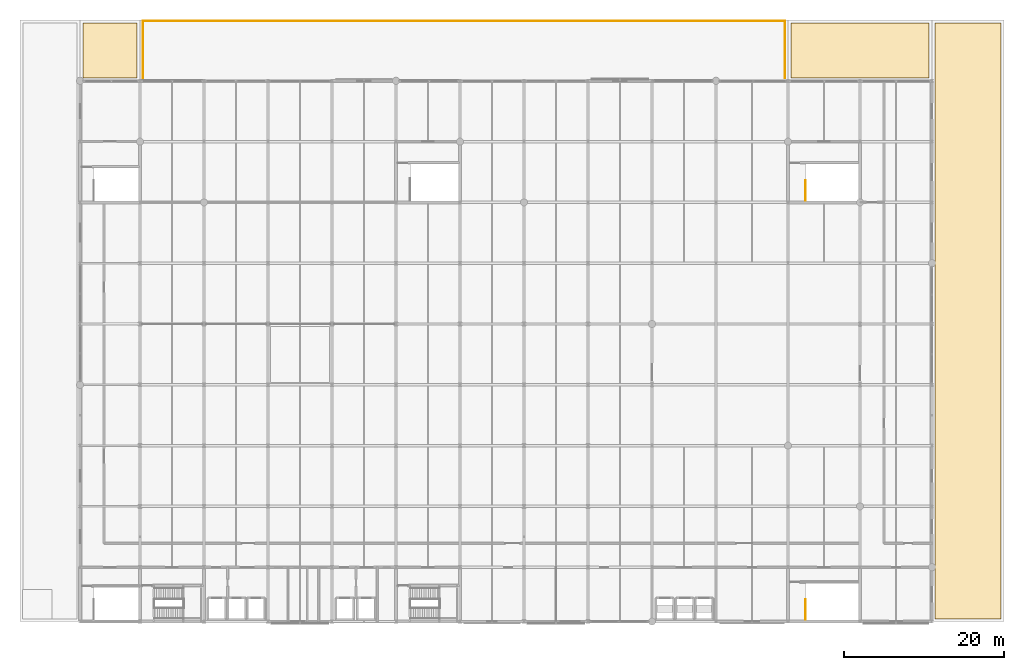
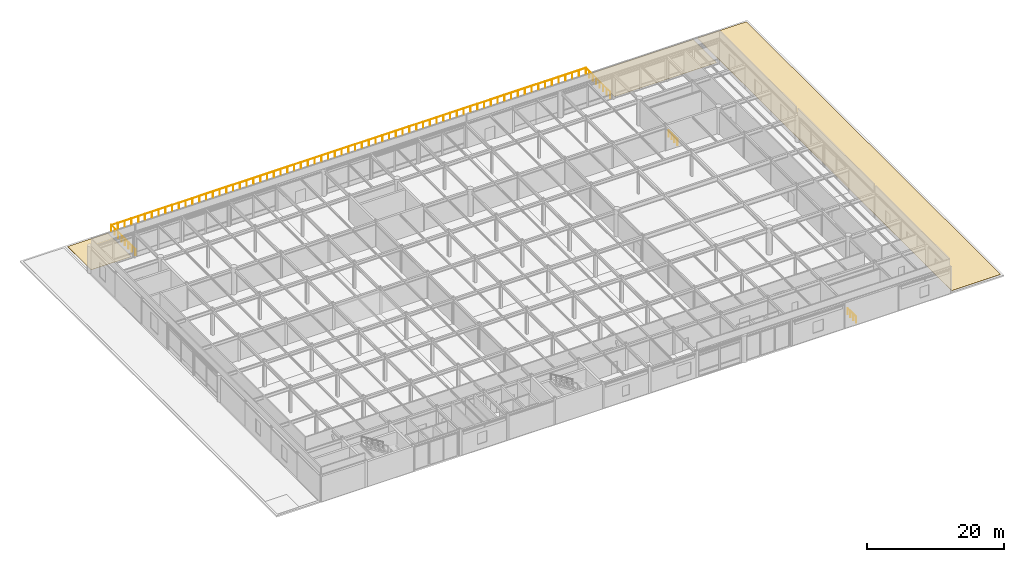
# One storey, part 43 of 43: 3 coverings, 3 railings.
"""IFC4 building model written with IfcOpenShell, lengths in metres."""

from ifc_helpers import new_model, si_unit, direction, frame, origin, origin_2d, place, context, subcontext, project, spatial, polyline, circle, outline, extrude, material, layer, layer_set, type_object, element, save


model = new_model("IFC4")

# Units and contexts
model_context = context("Model", 3, precision=1e-05, world=origin(), true_north=direction((0.0, 1.0)))
body_context = subcontext(model_context, "Body", "Model", "MODEL_VIEW")
ifc_project = project(units=[si_unit("LENGTHUNIT", "METRE"), si_unit("AREAUNIT", "SQUARE_METRE"), si_unit("VOLUMEUNIT", "CUBIC_METRE"), si_unit("PLANEANGLEUNIT", "RADIAN"), si_unit("MASSUNIT", "GRAM", prefix="KILO")], contexts=[model_context])

# Site, building, storey
site_placement = place(None, origin())
site = spatial("IfcSite", under=ifc_project, at=site_placement, CompositionType="ELEMENT")
building_placement = place(site_placement, origin())
building = spatial("IfcBuilding", under=site, at=building_placement, Name="Shalkamar Park Central Library", CompositionType="ELEMENT")
storey_placement = place(building_placement, frame((0.0, 0.0, 15.60009765625)))
storey = spatial("IfcBuildingStorey", under=building, at=storey_placement, Name="L04", CompositionType="ELEMENT", Elevation=15.60009765625)

# Coverings
ifc_material_1 = material(Name="SBS modified bitumen roofing membrane", Category="other")
ifc_layer = layer(ifc_material_1, 0.030029296875)
ifc_layer_set = layer_set([ifc_layer], Name="ColdClimateRoofMembrane")
covering_type = type_object("IfcCoveringType", Name="Cold Climate Roof Membrane", PredefinedType="ROOFING", material=ifc_layer_set)
covering_1_placement = place(storey_placement, origin())
element("IfcCovering", 1, at=covering_1_placement, inside=storey, type_object=covering_type, Name="SBS Roof Waterproofing Membrane RF-L03-E", PredefinedType="ROOFING", context=body_context, shape_type="SweptSolid", body=[
    extrude(outline(polyline([(264.35009765625, 248.75), (272.64990234375, 248.75), (272.64990234375, 323.25), (264.35009765625, 323.25), (264.35009765625, 248.75)])), origin(), (0.0, 0.0, 1.0), 0.02978515625),
])
covering_2_placement = place(storey_placement, origin())
element("IfcCovering", 2, at=covering_2_placement, inside=storey, type_object=covering_type, Name="SBS Roof Waterproofing Membrane RF-L03-NW", PredefinedType="ROOFING", context=body_context, shape_type="SweptSolid", body=[
    extrude(outline(polyline([(157.85009765625, 316.35009765625), (164.64990234375, 316.35009765625), (164.64990234375, 323.25), (157.85009765625, 323.25), (157.85009765625, 316.35009765625)])), origin(), (0.0, 0.0, 1.0), 0.02978515625),
])
covering_3_placement = place(storey_placement, origin())
element("IfcCovering", 3, at=covering_3_placement, inside=storey, type_object=covering_type, Name="SBS Roof Waterproofing Membrane RF-L03-NE", PredefinedType="ROOFING", context=body_context, shape_type="SweptSolid", body=[
    extrude(outline(polyline([(246.35009765625, 316.35009765625), (263.64990234375, 316.35009765625), (263.64990234375, 323.25), (246.35009765625, 323.25), (246.35009765625, 316.35009765625)])), origin(), (0.0, 0.0, 1.0), 0.02978515625),
])

# Railings
ifc_material_2 = material(Name="Steel S355", Category="steel")
railing_type_1 = type_object("IfcRailingType", Name="Stair Guardrail 1100", PredefinedType="GUARDRAIL", material=ifc_material_2)
for number, where, name in (
    (4, (248.1650390625, 248.635009765625, 0.0), "Stair Arrival Well Guardrail ST-P3 (L04)"),
    (5, (248.1650390625, 301.034912109375, 0.0), "Stair Arrival Well Guardrail ST-P4 (L04)"),
):
    element("IfcRailing", number, at=place(storey_placement, frame(where)), inside=storey, type_object=railing_type_1, Name=name, PredefinedType="GUARDRAIL", context=body_context, shape_type="SweptSolid", body=[
        extrude(circle(Radius=0.02392578125, at=origin_2d()), frame((0.0, 0.0, 1.076171875), z_axis=(0.0, 1.0, 0.0), x_axis=(-1.0, 0.0, 0.0)), (0.0, 0.0, 1.0), 2.5400390625),
        extrude(circle(Radius=0.02099609375, at=origin_2d()), origin(), (0.0, 0.0, 1.0), 1.052001953125),
        extrude(circle(Radius=0.02099609375, at=origin_2d()), frame((0.0, 0.8466796875, 0.0)), (0.0, 0.0, 1.0), 1.052001953125),
        extrude(circle(Radius=0.02099609375, at=origin_2d()), frame((0.0, 1.693359375, 0.0)), (0.0, 0.0, 1.0), 1.052001953125),
        extrude(circle(Radius=0.02099609375, at=origin_2d()), frame((0.0, 2.5400390625, 0.0)), (0.0, 0.0, 1.0), 1.052001953125),
    ])
railing_type_2 = type_object("IfcRailingType", Name="Terrace Balustrade Guard 1100", PredefinedType="GUARDRAIL", material=ifc_material_2)
railing_placement = place(storey_placement, frame((165.360107421875, 316.360107421875, 0.0)))
element("IfcRailing", 6, at=railing_placement, inside=storey, type_object=railing_type_2, Name="Terrace Balustrade Guardrail TER-L04-N", PredefinedType="GUARDRAIL", context=body_context, shape_type="SweptSolid", body=[
    extrude(circle(Radius=0.02392578125, at=origin_2d()), frame((0.0, 0.0, 1.076171875), z_axis=(0.0, 1.0, 0.0), x_axis=(-1.0, 0.0, 0.0)), (0.0, 0.0, 1.0), 7.119873046875),
    extrude(circle(Radius=0.02392578125, at=origin_2d()), frame((0.0, 7.119873046875, 1.076171875), z_axis=(1.0, 0.0, 0.0), x_axis=(0.0, 1.0, 0.0)), (0.0, 0.0, 1.0), 80.27978515625),
    extrude(circle(Radius=0.02392578125, at=origin_2d()), frame((80.27978515625, 7.119873046875, 1.076171875), z_axis=(0.0, -1.0, 0.0), x_axis=(1.0, 0.0, 0.0)), (0.0, 0.0, 1.0), 7.119873046875),
    extrude(circle(Radius=0.02099609375, at=origin_2d()), origin(), (0.0, 0.0, 1.0), 1.052001953125),
    extrude(circle(Radius=0.02099609375, at=origin_2d()), frame((0.0, 1.01708984375, 0.0)), (0.0, 0.0, 1.0), 1.052001953125),
    extrude(circle(Radius=0.02099609375, at=origin_2d()), frame((0.0, 2.0341796875, 0.0)), (0.0, 0.0, 1.0), 1.052001953125),
    extrude(circle(Radius=0.02099609375, at=origin_2d()), frame((0.0, 3.05126953125, 0.0)), (0.0, 0.0, 1.0), 1.052001953125),
    extrude(circle(Radius=0.02099609375, at=origin_2d()), frame((0.0, 4.068603515625, 0.0)), (0.0, 0.0, 1.0), 1.052001953125),
    extrude(circle(Radius=0.02099609375, at=origin_2d()), frame((0.0, 5.085693359375, 0.0)), (0.0, 0.0, 1.0), 1.052001953125),
    extrude(circle(Radius=0.02099609375, at=origin_2d()), frame((0.0, 6.102783203125, 0.0)), (0.0, 0.0, 1.0), 1.052001953125),
    extrude(circle(Radius=0.02099609375, at=origin_2d()), frame((0.0, 7.119873046875, 0.0)), (0.0, 0.0, 1.0), 1.052001953125),
    extrude(circle(Radius=0.02099609375, at=origin_2d()), frame((1.14697265625, 7.119873046875, 0.0)), (0.0, 0.0, 1.0), 1.052001953125),
    extrude(circle(Radius=0.02099609375, at=origin_2d()), frame((2.293701171875, 7.119873046875, 0.0)), (0.0, 0.0, 1.0), 1.052001953125),
    extrude(circle(Radius=0.02099609375, at=origin_2d()), frame((3.440673828125, 7.119873046875, 0.0)), (0.0, 0.0, 1.0), 1.052001953125),
    extrude(circle(Radius=0.02099609375, at=origin_2d()), frame((4.58740234375, 7.119873046875, 0.0)), (0.0, 0.0, 1.0), 1.052001953125),
    extrude(circle(Radius=0.02099609375, at=origin_2d()), frame((5.734375, 7.119873046875, 0.0)), (0.0, 0.0, 1.0), 1.052001953125),
    extrude(circle(Radius=0.02099609375, at=origin_2d()), frame((6.881103515625, 7.119873046875, 0.0)), (0.0, 0.0, 1.0), 1.052001953125),
    extrude(circle(Radius=0.02099609375, at=origin_2d()), frame((8.028076171875, 7.119873046875, 0.0)), (0.0, 0.0, 1.0), 1.052001953125),
    extrude(circle(Radius=0.02099609375, at=origin_2d()), frame((9.1748046875, 7.119873046875, 0.0)), (0.0, 0.0, 1.0), 1.052001953125),
    extrude(circle(Radius=0.02099609375, at=origin_2d()), frame((10.32177734375, 7.119873046875, 0.0)), (0.0, 0.0, 1.0), 1.052001953125),
    extrude(circle(Radius=0.02099609375, at=origin_2d()), frame((11.468505859375, 7.119873046875, 0.0)), (0.0, 0.0, 1.0), 1.052001953125),
    extrude(circle(Radius=0.02099609375, at=origin_2d()), frame((12.615478515625, 7.119873046875, 0.0)), (0.0, 0.0, 1.0), 1.052001953125),
    extrude(circle(Radius=0.02099609375, at=origin_2d()), frame((13.76220703125, 7.119873046875, 0.0)), (0.0, 0.0, 1.0), 1.052001953125),
    extrude(circle(Radius=0.02099609375, at=origin_2d()), frame((14.9091796875, 7.119873046875, 0.0)), (0.0, 0.0, 1.0), 1.052001953125),
    extrude(circle(Radius=0.02099609375, at=origin_2d()), frame((16.055908203125, 7.119873046875, 0.0)), (0.0, 0.0, 1.0), 1.052001953125),
    extrude(circle(Radius=0.02099609375, at=origin_2d()), frame((17.202880859375, 7.119873046875, 0.0)), (0.0, 0.0, 1.0), 1.052001953125),
    extrude(circle(Radius=0.02099609375, at=origin_2d()), frame((18.349609375, 7.119873046875, 0.0)), (0.0, 0.0, 1.0), 1.052001953125),
    extrude(circle(Radius=0.02099609375, at=origin_2d()), frame((19.49658203125, 7.119873046875, 0.0)), (0.0, 0.0, 1.0), 1.052001953125),
    extrude(circle(Radius=0.02099609375, at=origin_2d()), frame((20.643310546875, 7.119873046875, 0.0)), (0.0, 0.0, 1.0), 1.052001953125),
    extrude(circle(Radius=0.02099609375, at=origin_2d()), frame((21.790283203125, 7.119873046875, 0.0)), (0.0, 0.0, 1.0), 1.052001953125),
    extrude(circle(Radius=0.02099609375, at=origin_2d()), frame((22.93701171875, 7.119873046875, 0.0)), (0.0, 0.0, 1.0), 1.052001953125),
    extrude(circle(Radius=0.02099609375, at=origin_2d()), frame((24.083984375, 7.119873046875, 0.0)), (0.0, 0.0, 1.0), 1.052001953125),
    extrude(circle(Radius=0.02099609375, at=origin_2d()), frame((25.230712890625, 7.119873046875, 0.0)), (0.0, 0.0, 1.0), 1.052001953125),
    extrude(circle(Radius=0.02099609375, at=origin_2d()), frame((26.377685546875, 7.119873046875, 0.0)), (0.0, 0.0, 1.0), 1.052001953125),
    extrude(circle(Radius=0.02099609375, at=origin_2d()), frame((27.5244140625, 7.119873046875, 0.0)), (0.0, 0.0, 1.0), 1.052001953125),
    extrude(circle(Radius=0.02099609375, at=origin_2d()), frame((28.67138671875, 7.119873046875, 0.0)), (0.0, 0.0, 1.0), 1.052001953125),
    extrude(circle(Radius=0.02099609375, at=origin_2d()), frame((29.818115234375, 7.119873046875, 0.0)), (0.0, 0.0, 1.0), 1.052001953125),
    extrude(circle(Radius=0.02099609375, at=origin_2d()), frame((30.965087890625, 7.119873046875, 0.0)), (0.0, 0.0, 1.0), 1.052001953125),
    extrude(circle(Radius=0.02099609375, at=origin_2d()), frame((32.11181640625, 7.119873046875, 0.0)), (0.0, 0.0, 1.0), 1.052001953125),
    extrude(circle(Radius=0.02099609375, at=origin_2d()), frame((33.2587890625, 7.119873046875, 0.0)), (0.0, 0.0, 1.0), 1.052001953125),
    extrude(circle(Radius=0.02099609375, at=origin_2d()), frame((34.405517578125, 7.119873046875, 0.0)), (0.0, 0.0, 1.0), 1.052001953125),
    extrude(circle(Radius=0.02099609375, at=origin_2d()), frame((35.552490234375, 7.119873046875, 0.0)), (0.0, 0.0, 1.0), 1.052001953125),
    extrude(circle(Radius=0.02099609375, at=origin_2d()), frame((36.69921875, 7.119873046875, 0.0)), (0.0, 0.0, 1.0), 1.052001953125),
    extrude(circle(Radius=0.02099609375, at=origin_2d()), frame((37.84619140625, 7.119873046875, 0.0)), (0.0, 0.0, 1.0), 1.052001953125),
    extrude(circle(Radius=0.02099609375, at=origin_2d()), frame((38.992919921875, 7.119873046875, 0.0)), (0.0, 0.0, 1.0), 1.052001953125),
    extrude(circle(Radius=0.02099609375, at=origin_2d()), frame((40.139892578125, 7.119873046875, 0.0)), (0.0, 0.0, 1.0), 1.052001953125),
    extrude(circle(Radius=0.02099609375, at=origin_2d()), frame((41.286865234375, 7.119873046875, 0.0)), (0.0, 0.0, 1.0), 1.052001953125),
    extrude(circle(Radius=0.02099609375, at=origin_2d()), frame((42.43359375, 7.119873046875, 0.0)), (0.0, 0.0, 1.0), 1.052001953125),
    extrude(circle(Radius=0.02099609375, at=origin_2d()), frame((43.58056640625, 7.119873046875, 0.0)), (0.0, 0.0, 1.0), 1.052001953125),
    extrude(circle(Radius=0.02099609375, at=origin_2d()), frame((44.727294921875, 7.119873046875, 0.0)), (0.0, 0.0, 1.0), 1.052001953125),
    extrude(circle(Radius=0.02099609375, at=origin_2d()), frame((45.874267578125, 7.119873046875, 0.0)), (0.0, 0.0, 1.0), 1.052001953125),
    extrude(circle(Radius=0.02099609375, at=origin_2d()), frame((47.02099609375, 7.119873046875, 0.0)), (0.0, 0.0, 1.0), 1.052001953125),
    extrude(circle(Radius=0.02099609375, at=origin_2d()), frame((48.16796875, 7.119873046875, 0.0)), (0.0, 0.0, 1.0), 1.052001953125),
    extrude(circle(Radius=0.02099609375, at=origin_2d()), frame((49.314697265625, 7.119873046875, 0.0)), (0.0, 0.0, 1.0), 1.052001953125),
    extrude(circle(Radius=0.02099609375, at=origin_2d()), frame((50.461669921875, 7.119873046875, 0.0)), (0.0, 0.0, 1.0), 1.052001953125),
    extrude(circle(Radius=0.02099609375, at=origin_2d()), frame((51.6083984375, 7.119873046875, 0.0)), (0.0, 0.0, 1.0), 1.052001953125),
    extrude(circle(Radius=0.02099609375, at=origin_2d()), frame((52.75537109375, 7.119873046875, 0.0)), (0.0, 0.0, 1.0), 1.052001953125),
    extrude(circle(Radius=0.02099609375, at=origin_2d()), frame((53.902099609375, 7.119873046875, 0.0)), (0.0, 0.0, 1.0), 1.052001953125),
    extrude(circle(Radius=0.02099609375, at=origin_2d()), frame((55.049072265625, 7.119873046875, 0.0)), (0.0, 0.0, 1.0), 1.052001953125),
    extrude(circle(Radius=0.02099609375, at=origin_2d()), frame((56.19580078125, 7.119873046875, 0.0)), (0.0, 0.0, 1.0), 1.052001953125),
    extrude(circle(Radius=0.02099609375, at=origin_2d()), frame((57.3427734375, 7.119873046875, 0.0)), (0.0, 0.0, 1.0), 1.052001953125),
    extrude(circle(Radius=0.02099609375, at=origin_2d()), frame((58.489501953125, 7.119873046875, 0.0)), (0.0, 0.0, 1.0), 1.052001953125),
    extrude(circle(Radius=0.02099609375, at=origin_2d()), frame((59.636474609375, 7.119873046875, 0.0)), (0.0, 0.0, 1.0), 1.052001953125),
    extrude(circle(Radius=0.02099609375, at=origin_2d()), frame((60.783203125, 7.119873046875, 0.0)), (0.0, 0.0, 1.0), 1.052001953125),
    extrude(circle(Radius=0.02099609375, at=origin_2d()), frame((61.93017578125, 7.119873046875, 0.0)), (0.0, 0.0, 1.0), 1.052001953125),
    extrude(circle(Radius=0.02099609375, at=origin_2d()), frame((63.076904296875, 7.119873046875, 0.0)), (0.0, 0.0, 1.0), 1.052001953125),
    extrude(circle(Radius=0.02099609375, at=origin_2d()), frame((64.223876953125, 7.119873046875, 0.0)), (0.0, 0.0, 1.0), 1.052001953125),
    extrude(circle(Radius=0.02099609375, at=origin_2d()), frame((65.37060546875, 7.119873046875, 0.0)), (0.0, 0.0, 1.0), 1.052001953125),
    extrude(circle(Radius=0.02099609375, at=origin_2d()), frame((66.517578125, 7.119873046875, 0.0)), (0.0, 0.0, 1.0), 1.052001953125),
    extrude(circle(Radius=0.02099609375, at=origin_2d()), frame((67.664306640625, 7.119873046875, 0.0)), (0.0, 0.0, 1.0), 1.052001953125),
    extrude(circle(Radius=0.02099609375, at=origin_2d()), frame((68.811279296875, 7.119873046875, 0.0)), (0.0, 0.0, 1.0), 1.052001953125),
    extrude(circle(Radius=0.02099609375, at=origin_2d()), frame((69.9580078125, 7.119873046875, 0.0)), (0.0, 0.0, 1.0), 1.052001953125),
    extrude(circle(Radius=0.02099609375, at=origin_2d()), frame((71.10498046875, 7.119873046875, 0.0)), (0.0, 0.0, 1.0), 1.052001953125),
    extrude(circle(Radius=0.02099609375, at=origin_2d()), frame((72.251708984375, 7.119873046875, 0.0)), (0.0, 0.0, 1.0), 1.052001953125),
    extrude(circle(Radius=0.02099609375, at=origin_2d()), frame((73.398681640625, 7.119873046875, 0.0)), (0.0, 0.0, 1.0), 1.052001953125),
    extrude(circle(Radius=0.02099609375, at=origin_2d()), frame((74.54541015625, 7.119873046875, 0.0)), (0.0, 0.0, 1.0), 1.052001953125),
    extrude(circle(Radius=0.02099609375, at=origin_2d()), frame((75.6923828125, 7.119873046875, 0.0)), (0.0, 0.0, 1.0), 1.052001953125),
    extrude(circle(Radius=0.02099609375, at=origin_2d()), frame((76.839111328125, 7.119873046875, 0.0)), (0.0, 0.0, 1.0), 1.052001953125),
    extrude(circle(Radius=0.02099609375, at=origin_2d()), frame((77.986083984375, 7.119873046875, 0.0)), (0.0, 0.0, 1.0), 1.052001953125),
    extrude(circle(Radius=0.02099609375, at=origin_2d()), frame((79.1328125, 7.119873046875, 0.0)), (0.0, 0.0, 1.0), 1.052001953125),
    extrude(circle(Radius=0.02099609375, at=origin_2d()), frame((80.27978515625, 7.119873046875, 0.0)), (0.0, 0.0, 1.0), 1.052001953125),
    extrude(circle(Radius=0.02099609375, at=origin_2d()), frame((80.27978515625, 6.102783203125, 0.0)), (0.0, 0.0, 1.0), 1.052001953125),
    extrude(circle(Radius=0.02099609375, at=origin_2d()), frame((80.27978515625, 5.085693359375, 0.0)), (0.0, 0.0, 1.0), 1.052001953125),
    extrude(circle(Radius=0.02099609375, at=origin_2d()), frame((80.27978515625, 4.068603515625, 0.0)), (0.0, 0.0, 1.0), 1.052001953125),
    extrude(circle(Radius=0.02099609375, at=origin_2d()), frame((80.27978515625, 3.05126953125, 0.0)), (0.0, 0.0, 1.0), 1.052001953125),
    extrude(circle(Radius=0.02099609375, at=origin_2d()), frame((80.27978515625, 2.0341796875, 0.0)), (0.0, 0.0, 1.0), 1.052001953125),
    extrude(circle(Radius=0.02099609375, at=origin_2d()), frame((80.27978515625, 1.01708984375, 0.0)), (0.0, 0.0, 1.0), 1.052001953125),
    extrude(circle(Radius=0.02099609375, at=origin_2d()), frame((80.27978515625, 0.0, 0.0)), (0.0, 0.0, 1.0), 1.052001953125),
])

save(model, "model.ifc")
